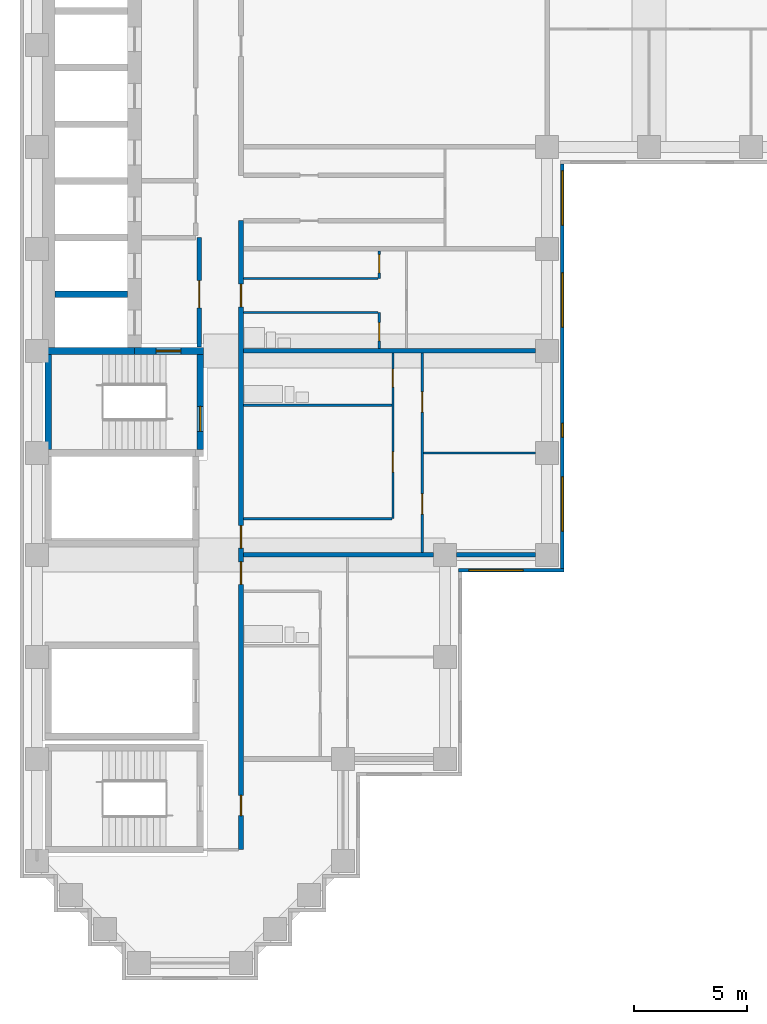
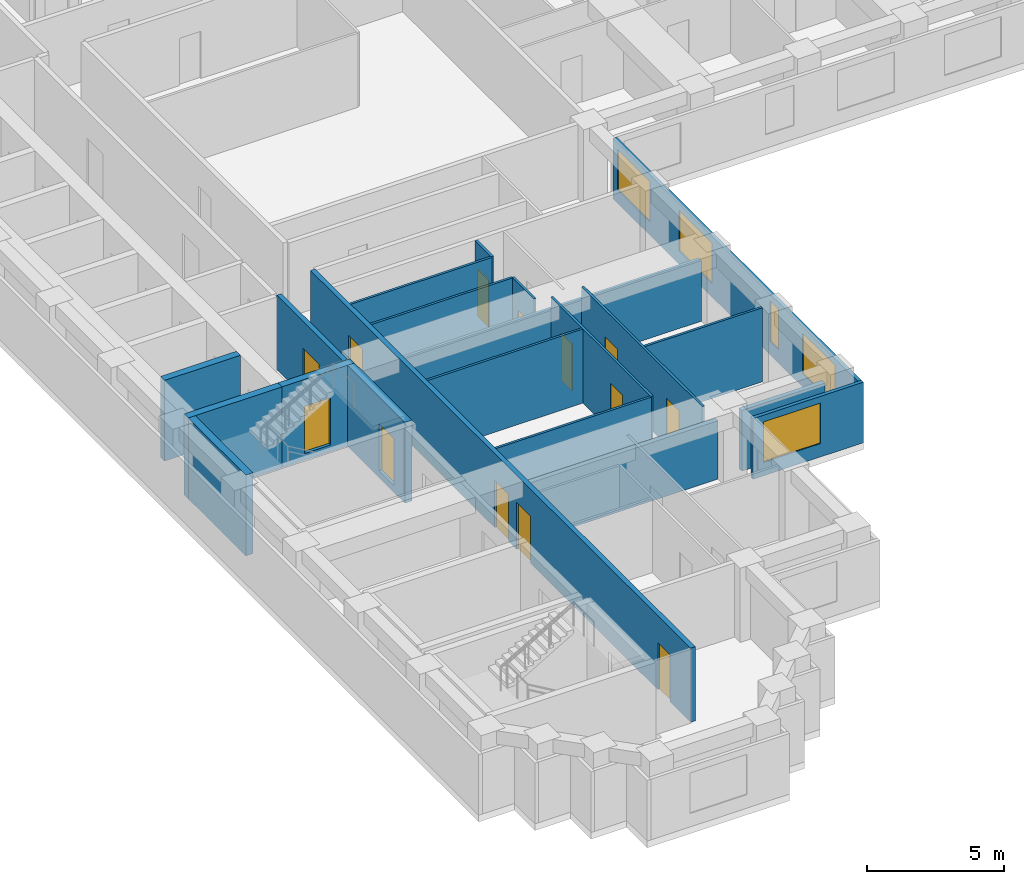
# One storey, part 3 of 11: 21 walls, 13 doors, 5 windows, 18 openings.
"""IFC4 building model written with IfcOpenShell, lengths in metres."""

from ifc_helpers import new_model, si_unit, direction, frame, frame_2d, origin, place, context, subcontext, project, spatial, rectangle, extrude, material, layer, layer_set, type_object, element, fill, save


model = new_model("IFC4")

# Units and contexts
model_context = context("Model", 3, precision=1e-05, world=origin(), true_north=direction((0.0, 1.0)))
body_context = subcontext(model_context, "Body", "Model", "MODEL_VIEW")
ifc_project = project(units=[si_unit("LENGTHUNIT", "METRE"), si_unit("AREAUNIT", "SQUARE_METRE"), si_unit("VOLUMEUNIT", "CUBIC_METRE"), si_unit("PLANEANGLEUNIT", "RADIAN"), si_unit("MASSUNIT", "GRAM", prefix="KILO")], contexts=[model_context])

# Site, building, storey
site_placement = place(None, origin())
site = spatial("IfcSite", under=ifc_project, at=site_placement, CompositionType="ELEMENT")
building_placement = place(site_placement, origin())
building = spatial("IfcBuilding", under=site, at=building_placement, Name="Firuza Court", CompositionType="ELEMENT")
storey_placement = place(building_placement, frame((0.0, 0.0, 130.39990234375)))
storey = spatial("IfcBuildingStorey", under=building, at=storey_placement, Name="L32", CompositionType="ELEMENT", Elevation=130.39990234375)

# Walls
ifc_material_1 = material(Name="Moisture-resistant gypsum board partition")
ifc_layer_1 = layer(ifc_material_1, 0.10009765625)
ifc_layer_set_1 = layer_set([ifc_layer_1], Name="Moisture-resistant gypsum board partition")
wall_type_1 = type_object("IfcWallType", Name="Bathroom partition 100", PredefinedType="PLUMBINGWALL", material=ifc_layer_set_1)
wall_1_placement = place(storey_placement, frame((9.10009765625, 24.60009765625, 0.0), z_axis=(0.0, 0.0, 1.0), x_axis=(1.0, 0.0, 0.0)))
element("IfcWall", 1, at=wall_1_placement, inside=storey, type_object=wall_type_1, Name="Bathroom partition 100 L32", PredefinedType="PLUMBINGWALL", context=body_context, shape_type="SweptSolid", body=[
    extrude(rectangle(XDim=6.5498046875, YDim=0.10009765625, at=frame_2d((3.27490234375, 0.0))), origin(), (0.0, 0.0, 1.0), 3.300048828125),
])
wall_2_placement = place(storey_placement, frame((9.10009765625, 28.699951171875, 0.0), z_axis=(0.0, 0.0, 1.0), x_axis=(1.0, 0.0, 0.0)))
element("IfcWall", 2, at=wall_2_placement, inside=storey, type_object=wall_type_1, Name="Bathroom partition 100 L32", PredefinedType="PLUMBINGWALL", context=body_context, shape_type="SweptSolid", body=[
    extrude(rectangle(XDim=5.949951171875, YDim=0.10009765625, at=frame_2d((2.97509765625, 0.0))), origin(), (0.0, 0.0, 1.0), 3.300048828125),
])
ifc_material_2 = material(Name="Concrete C60/75", Category="concrete")
ifc_layer_2 = layer(ifc_material_2, 0.300048828125)
ifc_layer_set_2 = layer_set([ifc_layer_2], Name="Concrete C60/75")
wall_type_2 = type_object("IfcWallType", Name="Core wall 300 C60/75", PredefinedType="SHEAR", material=ifc_layer_set_2)
wall_3_placement = place(storey_placement, frame((0.35009765625, 27.0, -0.2998046875), z_axis=(0.0, 0.0, 1.0), x_axis=(1.0, 0.0, 0.0)))
element("IfcWall", 3, at=wall_3_placement, inside=storey, type_object=wall_type_2, Name="Core wall lift shaft L32", PredefinedType="SHEAR", context=body_context, shape_type="SweptSolid", body=[
    extrude(rectangle(XDim=3.949951171875, YDim=0.300048828125, at=frame_2d((1.97509765625, 0.0))), origin(), (0.0, 0.0, 1.0), 3.599853515625),
])
wall_4_placement = place(storey_placement, frame((0.5, 22.64990234375, -0.2998046875), z_axis=(0.0, 0.0, 1.0), x_axis=(0.0, 1.0, 0.0)))
element("IfcWall", 4, at=wall_4_placement, inside=storey, type_object=wall_type_2, Name="Core wall stair L32", PredefinedType="SHEAR", context=body_context, shape_type="SweptSolid", body=[
    extrude(rectangle(XDim=4.2001953125, YDim=0.300048828125, at=frame_2d((2.10009765625, 0.0))), origin(), (0.0, 0.0, 1.0), 3.599853515625),
])
wall_5_placement = place(storey_placement, frame((0.800048828125, 29.5, -0.2998046875), z_axis=(0.0, 0.0, 1.0), x_axis=(1.0, 0.0, 0.0)))
element("IfcWall", 5, at=wall_5_placement, inside=storey, type_object=wall_type_2, Name="Core wall lift shaft L32", PredefinedType="SHEAR", context=body_context, shape_type="SweptSolid", body=[
    extrude(rectangle(XDim=3.199951171875, YDim=0.300048828125, at=frame_2d((1.60009765625, 0.0))), origin(), (0.0, 0.0, 1.0), 3.599853515625),
])

# Wall, opening, door
wall_6_placement = place(storey_placement, frame((4.300048828125, 27.0, -0.2998046875), z_axis=(0.0, 0.0, 1.0), x_axis=(1.0, 0.0, 0.0)))
wall_6 = element("IfcWall", 6, at=wall_6_placement, inside=storey, type_object=wall_type_2, Name="Core wall stair L32", PredefinedType="SHEAR", context=body_context, shape_type="SweptSolid", body=[
    extrude(rectangle(XDim=3.050048828125, YDim=0.300048828125, at=frame_2d((1.52490234375, 0.0))), origin(), (0.0, 0.0, 1.0), 3.599853515625),
])
opening_1_placement = place(wall_6_placement, frame((0.949951171875, 0.0, 0.300048828125)))
opening_1 = element("IfcOpeningElement", 7, at=opening_1_placement, cuts=wall_6, Name="Opening D32013", PredefinedType="OPENING", context=body_context, shape_type="SweptSolid", body=[
    extrude(rectangle(XDim=1.10009765625, YDim=2.10009765625, at=frame_2d((0.550048828125, 1.050048828125))), frame((0.0, 0.162109375, 0.0), z_axis=(0.0, -1.0, 0.0), x_axis=(1.0, 0.0, 0.0)), (0.0, 0.0, 1.0), 0.323974609375),
])
ifc_material_3 = material(Name="Timber door leaf in hardwood frame", Category="wood")
door_type_1 = type_object("IfcDoorType", Name="Stair door 1100", OperationType="SINGLE_SWING_LEFT", PredefinedType="DOOR", material=ifc_material_3)
door_1_placement = place(opening_1_placement, frame((1.10009765625, 0.0, 0.0), z_axis=(0.0, 0.0, 1.0), x_axis=(-1.0, 0.0, 0.0)))
door_1 = element("IfcDoor", 8, at=door_1_placement, inside=storey, type_object=door_type_1, Name="Fire-fighting lobby door", OperationType="SINGLE_SWING_LEFT", OverallHeight=2.10009765625, OverallWidth=1.10009765625, PredefinedType="DOOR", context=body_context, shape_type="SweptSolid", body=[
    extrude(rectangle(XDim=1.10009765625, YDim=2.10009765625, at=frame_2d((0.550048828125, 1.050048828125))), frame((0.0, 0.02490234375, 0.0), z_axis=(0.0, -1.0, 0.0), x_axis=(1.0, 0.0, 0.0)), (0.0, 0.0, 1.0), 0.050048828125),
])
fill(opening_1, door_1)

wall_7_placement = place(storey_placement, frame((7.199951171875, 22.64990234375, -0.2998046875), z_axis=(0.0, 0.0, 1.0), x_axis=(0.0, 1.0, 0.0)))
wall_7 = element("IfcWall", 9, at=wall_7_placement, inside=storey, type_object=wall_type_2, Name="Core wall stair L32", PredefinedType="SHEAR", context=body_context, shape_type="SweptSolid", body=[
    extrude(rectangle(XDim=4.2001953125, YDim=0.300048828125, at=frame_2d((2.10009765625, 0.0))), origin(), (0.0, 0.0, 1.0), 3.599853515625),
])
opening_2_placement = place(wall_7_placement, frame((0.800048828125, 0.0, 0.300048828125)))
opening_2 = element("IfcOpeningElement", 10, at=opening_2_placement, cuts=wall_7, Name="Opening D32014", PredefinedType="OPENING", context=body_context, shape_type="SweptSolid", body=[
    extrude(rectangle(XDim=1.10009765625, YDim=2.10009765625, at=frame_2d((0.550048828125, 1.050048828125))), frame((0.0, 0.162109375, 0.0), z_axis=(0.0, -1.0, 0.0), x_axis=(1.0, 0.0, 0.0)), (0.0, 0.0, 1.0), 0.323974609375),
])
door_2_placement = place(opening_2_placement, origin())
door_2 = element("IfcDoor", 11, at=door_2_placement, inside=storey, type_object=door_type_1, Name="Stair door S2", OperationType="SINGLE_SWING_LEFT", OverallHeight=2.10009765625, OverallWidth=1.10009765625, PredefinedType="DOOR", context=body_context, shape_type="SweptSolid", body=[
    extrude(rectangle(XDim=1.10009765625, YDim=2.10009765625, at=frame_2d((0.550048828125, 1.050048828125))), frame((0.0, 0.02490234375, 0.0), z_axis=(0.0, -1.0, 0.0), x_axis=(1.0, 0.0, 0.0)), (0.0, 0.0, 1.0), 0.050048828125),
])
fill(opening_2, door_2)

# Wall, openings, doors
ifc_material_4 = material(Name="Blockwork, plastered both sides", Category="masonry")
ifc_layer_3 = layer(ifc_material_4, 0.199951171875)
ifc_layer_set_3 = layer_set([ifc_layer_3], Name="Blockwork, plastered both sides")
wall_type_3 = type_object("IfcWallType", Name="Corridor wall 200", PredefinedType="PARTITIONING", material=ifc_layer_set_3)
wall_8_placement = place(storey_placement, frame((9.0, 5.0, 0.0), z_axis=(0.0, 0.0, 1.0), x_axis=(0.0, 1.0, 0.0)))
wall_8 = element("IfcWall", 12, at=wall_8_placement, inside=storey, type_object=wall_type_3, Name="Corridor wall 200 L32", PredefinedType="PARTITIONING", context=body_context, shape_type="SweptSolid", body=[
    extrude(rectangle(XDim=27.75, YDim=0.199951171875, at=frame_2d((13.875, 0.0))), origin(), (0.0, 0.0, 1.0), 3.300048828125),
])
opening_3_placement = place(wall_8_placement, frame((23.949951171875, 0.0, 0.0)))
opening_3 = element("IfcOpeningElement", 13, at=opening_3_placement, cuts=wall_8, Name="Opening D32018", PredefinedType="OPENING", context=body_context, shape_type="SweptSolid", body=[
    extrude(rectangle(XDim=1.0, YDim=2.10009765625, at=frame_2d((0.5, 1.050048828125))), frame((0.0, 0.11181640625, 0.0), z_axis=(0.0, -1.0, 0.0), x_axis=(1.0, 0.0, 0.0)), (0.0, 0.0, 1.0), 0.223876953125),
])
opening_4_placement = place(wall_8_placement, frame((13.300048828125, 0.0, 0.0)))
opening_4 = element("IfcOpeningElement", 14, at=opening_4_placement, cuts=wall_8, Name="Opening D32019", PredefinedType="OPENING", context=body_context, shape_type="SweptSolid", body=[
    extrude(rectangle(XDim=1.0, YDim=2.10009765625, at=frame_2d((0.5, 1.050048828125))), frame((0.0, 0.11181640625, 0.0), z_axis=(0.0, -1.0, 0.0), x_axis=(1.0, 0.0, 0.0)), (0.0, 0.0, 1.0), 0.223876953125),
])
opening_5_placement = place(wall_8_placement, frame((11.699951171875, 0.0, 0.0)))
opening_5 = element("IfcOpeningElement", 15, at=opening_5_placement, cuts=wall_8, Name="Opening D32020", PredefinedType="OPENING", context=body_context, shape_type="SweptSolid", body=[
    extrude(rectangle(XDim=1.0, YDim=2.10009765625, at=frame_2d((0.5, 1.050048828125))), frame((0.0, 0.11181640625, 0.0), z_axis=(0.0, -1.0, 0.0), x_axis=(1.0, 0.0, 0.0)), (0.0, 0.0, 1.0), 0.223876953125),
])
opening_6_placement = place(wall_8_placement, frame((1.5, 0.0, 0.0)))
opening_6 = element("IfcOpeningElement", 16, at=opening_6_placement, cuts=wall_8, Name="Opening D32021", PredefinedType="OPENING", context=body_context, shape_type="SweptSolid", body=[
    extrude(rectangle(XDim=0.89990234375, YDim=2.10009765625, at=frame_2d((0.449951171875, 1.050048828125))), frame((0.0, 0.11181640625, 0.0), z_axis=(0.0, -1.0, 0.0), x_axis=(1.0, 0.0, 0.0)), (0.0, 0.0, 1.0), 0.223876953125),
])
ifc_material_5 = material(Name="Timber door leaf in hardwood frame", Category="wood")
door_type_2 = type_object("IfcDoorType", Name="Flat entrance door 1000", OperationType="SINGLE_SWING_LEFT", PredefinedType="DOOR", material=ifc_material_5)
door_3_placement = place(opening_3_placement, origin())
door_3 = element("IfcDoor", 17, at=door_3_placement, inside=storey, type_object=door_type_2, Name="Flat entrance door", OperationType="SINGLE_SWING_LEFT", OverallHeight=2.10009765625, OverallWidth=1.0, PredefinedType="DOOR", context=body_context, shape_type="SweptSolid", body=[
    extrude(rectangle(XDim=1.0, YDim=2.10009765625, at=frame_2d((0.5, 1.050048828125))), frame((0.0, 0.02490234375, 0.0), z_axis=(0.0, -1.0, 0.0), x_axis=(1.0, 0.0, 0.0)), (0.0, 0.0, 1.0), 0.050048828125),
])
fill(opening_3, door_3)
door_4_placement = place(opening_4_placement, origin())
door_4 = element("IfcDoor", 18, at=door_4_placement, inside=storey, type_object=door_type_2, Name="Flat entrance door", OperationType="SINGLE_SWING_LEFT", OverallHeight=2.10009765625, OverallWidth=1.0, PredefinedType="DOOR", context=body_context, shape_type="SweptSolid", body=[
    extrude(rectangle(XDim=1.0, YDim=2.10009765625, at=frame_2d((0.5, 1.050048828125))), frame((0.0, 0.02490234375, 0.0), z_axis=(0.0, -1.0, 0.0), x_axis=(1.0, 0.0, 0.0)), (0.0, 0.0, 1.0), 0.050048828125),
])
fill(opening_4, door_4)
door_5_placement = place(opening_5_placement, origin())
door_5 = element("IfcDoor", 19, at=door_5_placement, inside=storey, type_object=door_type_2, Name="Flat entrance door", OperationType="SINGLE_SWING_LEFT", OverallHeight=2.10009765625, OverallWidth=1.0, PredefinedType="DOOR", context=body_context, shape_type="SweptSolid", body=[
    extrude(rectangle(XDim=1.0, YDim=2.10009765625, at=frame_2d((0.5, 1.050048828125))), frame((0.0, 0.02490234375, 0.0), z_axis=(0.0, -1.0, 0.0), x_axis=(1.0, 0.0, 0.0)), (0.0, 0.0, 1.0), 0.050048828125),
])
fill(opening_5, door_5)
ifc_material_6 = material(Name="Timber door leaf in hardwood frame", Category="wood")
door_type_3 = type_object("IfcDoorType", Name="Room door 900 EI 30", OperationType="SINGLE_SWING_LEFT", PredefinedType="DOOR", material=ifc_material_6)
door_6_placement = place(opening_6_placement, frame((0.89990234375, 0.0, 0.0), z_axis=(0.0, 0.0, 1.0), x_axis=(-1.0, 0.0, 0.0)))
door_6 = element("IfcDoor", 20, at=door_6_placement, inside=storey, type_object=door_type_3, Name="Library door", OperationType="SINGLE_SWING_LEFT", OverallHeight=2.10009765625, OverallWidth=0.89990234375, PredefinedType="DOOR", context=body_context, shape_type="SweptSolid", body=[
    extrude(rectangle(XDim=0.89990234375, YDim=2.10009765625, at=frame_2d((0.449951171875, 1.050048828125))), frame((0.0, 0.02490234375, 0.0), z_axis=(0.0, -1.0, 0.0), x_axis=(1.0, 0.0, 0.0)), (0.0, 0.0, 1.0), 0.050048828125),
])
fill(opening_6, door_6)

ifc_material_7 = material(Name="Timber stud partition, plasterboard both sides", Category="wood")
ifc_layer_4 = layer(ifc_material_7, 0.10009765625)
ifc_layer_set_4 = layer_set([ifc_layer_4], Name="Timber stud partition, plasterboard both sides")
wall_type_4 = type_object("IfcWallType", Name="Partition wall 100", PredefinedType="PARTITIONING", material=ifc_layer_set_4)
wall_9_placement = place(storey_placement, frame((17.0, 18.10009765625, 0.0), z_axis=(0.0, 0.0, 1.0), x_axis=(0.0, 1.0, 0.0)))
wall_9 = element("IfcWall", 21, at=wall_9_placement, inside=storey, type_object=wall_type_4, Name="Partition wall 100 L32", PredefinedType="PARTITIONING", context=body_context, shape_type="SweptSolid", body=[
    extrude(rectangle(XDim=8.7998046875, YDim=0.10009765625, at=frame_2d((4.39990234375, 0.0))), origin(), (0.0, 0.0, 1.0), 3.300048828125),
])
opening_7_placement = place(wall_9_placement, frame((1.699951171875, 0.0, 0.0)))
opening_7 = element("IfcOpeningElement", 22, at=opening_7_placement, cuts=wall_9, Name="Opening D32027", PredefinedType="OPENING", context=body_context, shape_type="SweptSolid", body=[
    extrude(rectangle(XDim=0.89990234375, YDim=2.10009765625, at=frame_2d((0.449951171875, 1.050048828125))), frame((0.0, 0.06201171875, 0.0), z_axis=(0.0, -1.0, 0.0), x_axis=(1.0, 0.0, 0.0)), (0.0, 0.0, 1.0), 0.1240234375),
])
opening_8_placement = place(wall_9_placement, frame((6.199951171875, 0.0, 0.0)))
opening_8 = element("IfcOpeningElement", 23, at=opening_8_placement, cuts=wall_9, Name="Opening D32028", PredefinedType="OPENING", context=body_context, shape_type="SweptSolid", body=[
    extrude(rectangle(XDim=0.89990234375, YDim=2.10009765625, at=frame_2d((0.449951171875, 1.050048828125))), frame((0.0, 0.06201171875, 0.0), z_axis=(0.0, -1.0, 0.0), x_axis=(1.0, 0.0, 0.0)), (0.0, 0.0, 1.0), 0.1240234375),
])
ifc_material_8 = material(Name="Timber door leaf in hardwood frame", Category="wood")
door_type_4 = type_object("IfcDoorType", Name="Room door 900", OperationType="SINGLE_SWING_LEFT", PredefinedType="DOOR", material=ifc_material_8)
door_7_placement = place(opening_7_placement, frame((0.89990234375, 0.0, 0.0), z_axis=(0.0, 0.0, 1.0), x_axis=(-1.0, 0.0, 0.0)))
door_7 = element("IfcDoor", 24, at=door_7_placement, inside=storey, type_object=door_type_4, Name="Bedroom door", OperationType="SINGLE_SWING_RIGHT", OverallHeight=2.10009765625, OverallWidth=0.89990234375, PredefinedType="DOOR", context=body_context, shape_type="SweptSolid", body=[
    extrude(rectangle(XDim=0.89990234375, YDim=2.10009765625, at=frame_2d((0.449951171875, 1.050048828125))), frame((0.0, 0.02490234375, 0.0), z_axis=(0.0, -1.0, 0.0), x_axis=(1.0, 0.0, 0.0)), (0.0, 0.0, 1.0), 0.050048828125),
])
fill(opening_7, door_7)
door_8_placement = place(opening_8_placement, frame((0.89990234375, 0.0, 0.0), z_axis=(0.0, 0.0, 1.0), x_axis=(-1.0, 0.0, 0.0)))
door_8 = element("IfcDoor", 25, at=door_8_placement, inside=storey, type_object=door_type_4, Name="Living room door", OperationType="SINGLE_SWING_RIGHT", OverallHeight=2.10009765625, OverallWidth=0.89990234375, PredefinedType="DOOR", context=body_context, shape_type="SweptSolid", body=[
    extrude(rectangle(XDim=0.89990234375, YDim=2.10009765625, at=frame_2d((0.449951171875, 1.050048828125))), frame((0.0, 0.02490234375, 0.0), z_axis=(0.0, -1.0, 0.0), x_axis=(1.0, 0.0, 0.0)), (0.0, 0.0, 1.0), 0.050048828125),
])
fill(opening_8, door_8)

# Wall
wall_10_placement = place(storey_placement, frame((9.10009765625, 19.60009765625, 0.0), z_axis=(0.0, 0.0, 1.0), x_axis=(1.0, 0.0, 0.0)))
element("IfcWall", 26, at=wall_10_placement, inside=storey, type_object=wall_type_4, Name="Partition wall 100 L32", PredefinedType="PARTITIONING", context=body_context, shape_type="SweptSolid", body=[
    extrude(rectangle(XDim=6.5498046875, YDim=0.10009765625, at=frame_2d((3.27490234375, 0.0))), origin(), (0.0, 0.0, 1.0), 3.300048828125),
])

# Wall, openings, doors
wall_11_placement = place(storey_placement, frame((15.699951171875, 19.60009765625, 0.0), z_axis=(0.0, 0.0, 1.0), x_axis=(0.0, 1.0, 0.0)))
wall_11 = element("IfcWall", 27, at=wall_11_placement, inside=storey, type_object=wall_type_4, Name="Partition wall 100 L32", PredefinedType="PARTITIONING", context=body_context, shape_type="SweptSolid", body=[
    extrude(rectangle(XDim=7.2998046875, YDim=0.10009765625, at=frame_2d((3.64990234375, 0.0))), origin(), (0.0, 0.0, 1.0), 3.300048828125),
])
opening_9_placement = place(wall_11_placement, frame((5.800048828125, 0.0, 0.0)))
opening_9 = element("IfcOpeningElement", 28, at=opening_9_placement, cuts=wall_11, Name="Opening D32029", PredefinedType="OPENING", context=body_context, shape_type="SweptSolid", body=[
    extrude(rectangle(XDim=0.800048828125, YDim=2.10009765625, at=frame_2d((0.39990234375, 1.050048828125))), frame((0.0, 0.06201171875, 0.0), z_axis=(0.0, -1.0, 0.0), x_axis=(1.0, 0.0, 0.0)), (0.0, 0.0, 1.0), 0.1240234375),
])
opening_10_placement = place(wall_11_placement, frame((2.050048828125, 0.0, 0.0)))
opening_10 = element("IfcOpeningElement", 29, at=opening_10_placement, cuts=wall_11, Name="Opening D32030", PredefinedType="OPENING", context=body_context, shape_type="SweptSolid", body=[
    extrude(rectangle(XDim=0.89990234375, YDim=2.10009765625, at=frame_2d((0.449951171875, 1.050048828125))), frame((0.0, 0.06201171875, 0.0), z_axis=(0.0, -1.0, 0.0), x_axis=(1.0, 0.0, 0.0)), (0.0, 0.0, 1.0), 0.1240234375),
])
ifc_material_9 = material(Name="Timber door leaf in hardwood frame", Category="wood")
door_type_5 = type_object("IfcDoorType", Name="Bathroom door 800", OperationType="SINGLE_SWING_LEFT", PredefinedType="DOOR", material=ifc_material_9)
door_9_placement = place(opening_9_placement, origin())
door_9 = element("IfcDoor", 30, at=door_9_placement, inside=storey, type_object=door_type_5, Name="Bathroom door", OperationType="SINGLE_SWING_LEFT", OverallHeight=2.10009765625, OverallWidth=0.800048828125, PredefinedType="DOOR", context=body_context, shape_type="SweptSolid", body=[
    extrude(rectangle(XDim=0.800048828125, YDim=2.10009765625, at=frame_2d((0.39990234375, 1.050048828125))), frame((0.0, 0.02490234375, 0.0), z_axis=(0.0, -1.0, 0.0), x_axis=(1.0, 0.0, 0.0)), (0.0, 0.0, 1.0), 0.050048828125),
])
fill(opening_9, door_9)
door_10_placement = place(opening_10_placement, origin())
door_10 = element("IfcDoor", 31, at=door_10_placement, inside=storey, type_object=door_type_4, Name="Kitchen door", OperationType="SINGLE_SWING_LEFT", OverallHeight=2.10009765625, OverallWidth=0.89990234375, PredefinedType="DOOR", context=body_context, shape_type="SweptSolid", body=[
    extrude(rectangle(XDim=0.89990234375, YDim=2.10009765625, at=frame_2d((0.449951171875, 1.050048828125))), frame((0.0, 0.02490234375, 0.0), z_axis=(0.0, -1.0, 0.0), x_axis=(1.0, 0.0, 0.0)), (0.0, 0.0, 1.0), 0.050048828125),
])
fill(opening_10, door_10)

# Wall
wall_12_placement = place(storey_placement, frame((17.050048828125, 22.5, 0.0), z_axis=(0.0, 0.0, 1.0), x_axis=(1.0, 0.0, 0.0)))
element("IfcWall", 32, at=wall_12_placement, inside=storey, type_object=wall_type_4, Name="Partition wall 100 L32", PredefinedType="PARTITIONING", context=body_context, shape_type="SweptSolid", body=[
    extrude(rectangle(XDim=4.949951171875, YDim=0.10009765625, at=frame_2d((2.47509765625, 0.0))), origin(), (0.0, 0.0, 1.0), 3.300048828125),
])

# Wall, opening, door
wall_13_placement = place(storey_placement, frame((15.10009765625, 27.10009765625, 0.0), z_axis=(0.0, 0.0, 1.0), x_axis=(0.0, 1.0, 0.0)))
wall_13 = element("IfcWall", 33, at=wall_13_placement, inside=storey, type_object=wall_type_4, Name="Partition wall 100 L32", PredefinedType="PARTITIONING", context=body_context, shape_type="SweptSolid", body=[
    extrude(rectangle(XDim=1.599853515625, YDim=0.10009765625, at=frame_2d((0.7998046875, 0.0))), origin(), (0.0, 0.0, 1.0), 3.300048828125),
])
opening_11_placement = place(wall_13_placement, frame((0.35009765625, 0.0, 0.0)))
opening_11 = element("IfcOpeningElement", 34, at=opening_11_placement, cuts=wall_13, Name="Opening D32031", PredefinedType="OPENING", context=body_context, shape_type="SweptSolid", body=[
    extrude(rectangle(XDim=0.800048828125, YDim=2.10009765625, at=frame_2d((0.39990234375, 1.050048828125))), frame((0.0, 0.06201171875, 0.0), z_axis=(0.0, -1.0, 0.0), x_axis=(1.0, 0.0, 0.0)), (0.0, 0.0, 1.0), 0.1240234375),
])
door_11_placement = place(opening_11_placement, origin())
door_11 = element("IfcDoor", 35, at=door_11_placement, inside=storey, type_object=door_type_5, Name="Bathroom door", OperationType="SINGLE_SWING_LEFT", OverallHeight=2.10009765625, OverallWidth=0.800048828125, PredefinedType="DOOR", context=body_context, shape_type="SweptSolid", body=[
    extrude(rectangle(XDim=0.800048828125, YDim=2.10009765625, at=frame_2d((0.39990234375, 1.050048828125))), frame((0.0, 0.02490234375, 0.0), z_axis=(0.0, -1.0, 0.0), x_axis=(1.0, 0.0, 0.0)), (0.0, 0.0, 1.0), 0.050048828125),
])
fill(opening_11, door_11)

# Wall
wall_14_placement = place(storey_placement, frame((9.10009765625, 30.199951171875, 0.0), z_axis=(0.0, 0.0, 1.0), x_axis=(1.0, 0.0, 0.0)))
element("IfcWall", 36, at=wall_14_placement, inside=storey, type_object=wall_type_4, Name="Partition wall 100 L32", PredefinedType="PARTITIONING", context=body_context, shape_type="SweptSolid", body=[
    extrude(rectangle(XDim=5.949951171875, YDim=0.10009765625, at=frame_2d((2.97509765625, 0.0))), origin(), (0.0, 0.0, 1.0), 3.300048828125),
])

# Wall, opening, door
wall_15_placement = place(storey_placement, frame((15.10009765625, 30.199951171875, 0.0), z_axis=(0.0, 0.0, 1.0), x_axis=(0.0, 1.0, 0.0)))
wall_15 = element("IfcWall", 37, at=wall_15_placement, inside=storey, type_object=wall_type_4, Name="Partition wall 100 L32", PredefinedType="PARTITIONING", context=body_context, shape_type="SweptSolid", body=[
    extrude(rectangle(XDim=1.199951171875, YDim=0.10009765625, at=frame_2d((0.60009765625, 0.0))), origin(), (0.0, 0.0, 1.0), 3.300048828125),
])
opening_12_placement = place(wall_15_placement, frame((0.25, 0.0, 0.0)))
opening_12 = element("IfcOpeningElement", 38, at=opening_12_placement, cuts=wall_15, Name="Opening D32033", PredefinedType="OPENING", context=body_context, shape_type="SweptSolid", body=[
    extrude(rectangle(XDim=0.800048828125, YDim=2.10009765625, at=frame_2d((0.39990234375, 1.050048828125))), frame((0.0, 0.06201171875, 0.0), z_axis=(0.0, -1.0, 0.0), x_axis=(1.0, 0.0, 0.0)), (0.0, 0.0, 1.0), 0.1240234375),
])
ifc_material_10 = material(Name="Timber door leaf in hardwood frame", Category="wood")
door_type_6 = type_object("IfcDoorType", Name="Room door 800", OperationType="SINGLE_SWING_LEFT", PredefinedType="DOOR", material=ifc_material_10)
door_12_placement = place(opening_12_placement, origin())
door_12 = element("IfcDoor", 39, at=door_12_placement, inside=storey, type_object=door_type_6, Name="Kitchen door", OperationType="SINGLE_SWING_LEFT", OverallHeight=2.10009765625, OverallWidth=0.800048828125, PredefinedType="DOOR", context=body_context, shape_type="SweptSolid", body=[
    extrude(rectangle(XDim=0.800048828125, YDim=2.10009765625, at=frame_2d((0.39990234375, 1.050048828125))), frame((0.0, 0.02490234375, 0.0), z_axis=(0.0, -1.0, 0.0), x_axis=(1.0, 0.0, 0.0)), (0.0, 0.0, 1.0), 0.050048828125),
])
fill(opening_12, door_12)

# Walls
ifc_layer_5 = layer(ifc_material_4, 0.199951171875)
ifc_layer_set_5 = layer_set([ifc_layer_5], Name="Blockwork, plastered both sides")
wall_type_5 = type_object("IfcWallType", Name="Party wall 200", PredefinedType="PARTITIONING", material=ifc_layer_set_5)
wall_16_placement = place(storey_placement, frame((9.10009765625, 18.0, 0.0), z_axis=(0.0, 0.0, 1.0), x_axis=(1.0, 0.0, 0.0)))
element("IfcWall", 40, at=wall_16_placement, inside=storey, type_object=wall_type_5, Name="Party wall 200 L32", PredefinedType="PARTITIONING", context=body_context, shape_type="SweptSolid", body=[
    extrude(rectangle(XDim=8.39990234375, YDim=0.199951171875, at=frame_2d((4.199951171875, 0.0))), origin(), (0.0, 0.0, 1.0), 2.60009765625),
])
wall_17_placement = place(storey_placement, frame((18.5, 18.0, 0.0), z_axis=(0.0, 0.0, 1.0), x_axis=(1.0, 0.0, 0.0)))
element("IfcWall", 41, at=wall_17_placement, inside=storey, type_object=wall_type_5, Name="Party wall 200 L32", PredefinedType="PARTITIONING", context=body_context, shape_type="SweptSolid", body=[
    extrude(rectangle(XDim=3.5, YDim=0.199951171875, at=frame_2d((1.75, 0.0))), origin(), (0.0, 0.0, 1.0), 2.7001953125),
])
wall_18_placement = place(storey_placement, frame((9.10009765625, 27.0, 0.0), z_axis=(0.0, 0.0, 1.0), x_axis=(1.0, 0.0, 0.0)))
element("IfcWall", 42, at=wall_18_placement, inside=storey, type_object=wall_type_5, Name="Party wall 200 L32", PredefinedType="PARTITIONING", context=body_context, shape_type="SweptSolid", body=[
    extrude(rectangle(XDim=12.89990234375, YDim=0.199951171875, at=frame_2d((6.449951171875, 0.0))), origin(), (0.0, 0.0, 1.0), 2.7001953125),
])

# Wall, opening, window
ifc_material_11 = material(Name="Ceramic tile", Category="ceramic")
ifc_layer_6 = layer(ifc_material_11, 0.02001953125)
ifc_material_12 = material(Name="Mineral wool insulation", Category="insulation")
ifc_layer_7 = layer(ifc_material_12, 0.050048828125)
ifc_material_13 = material(Name="Concrete C40/50 precast", Category="concrete")
ifc_layer_8 = layer(ifc_material_13, 0.080078125)
ifc_layer_set_6 = layer_set([ifc_layer_6, ifc_layer_7, ifc_layer_8], Name="Concrete C40/50 precast")
wall_type_6 = type_object("IfcWallType", Name="Precast cladding wall with turquoise TILE PANEL face 150", PredefinedType="STANDARD", material=ifc_layer_set_6)
wall_19_placement = place(storey_placement, frame((18.60009765625, 17.324951171875, 0.0), z_axis=(0.0, 0.0, 1.0), x_axis=(1.0, 0.0, 0.0)))
wall_19 = element("IfcWall", 43, at=wall_19_placement, inside=storey, type_object=wall_type_6, Name="Facade wall L32 S", PredefinedType="STANDARD", context=body_context, shape_type="SweptSolid", body=[
    extrude(rectangle(XDim=4.64990234375, YDim=0.14990234375, at=frame_2d((2.324951171875, 0.0))), origin(), (0.0, 0.0, 1.0), 2.7001953125),
])
opening_13_placement = place(wall_19_placement, frame((0.449951171875, 0.0, 0.60009765625)))
opening_13 = element("IfcOpeningElement", 44, at=opening_13_placement, cuts=wall_19, Name="Opening W1", PredefinedType="OPENING", context=body_context, shape_type="SweptSolid", body=[
    extrude(rectangle(XDim=2.39990234375, YDim=1.800048828125, at=frame_2d((1.199951171875, 0.89990234375))), frame((0.0, 0.0869140625, 0.0), z_axis=(0.0, -1.0, 0.0), x_axis=(1.0, 0.0, 0.0)), (0.0, 0.0, 1.0), 0.173828125),
])
ifc_material_14 = material(Name="Aluminium frame, triple clear glazing", Category="aluminium")
window_type_1 = type_object("IfcWindowType", Name="Window W1 2400 x 1800", PartitioningType="SINGLE_PANEL", PredefinedType="WINDOW", material=ifc_material_14)
window_1_placement = place(opening_13_placement, origin())
window_1 = element("IfcWindow", 45, at=window_1_placement, inside=storey, type_object=window_type_1, Name="Window L32", OverallHeight=1.800048828125, OverallWidth=2.39990234375, PartitioningType="SINGLE_PANEL", PredefinedType="WINDOW", context=body_context, shape_type="SweptSolid", body=[
    extrude(rectangle(XDim=2.39990234375, YDim=1.800048828125, at=frame_2d((1.199951171875, 0.89990234375))), frame((0.0, 0.030029296875, 0.0), z_axis=(0.0, -1.0, 0.0), x_axis=(1.0, 0.0, 0.0)), (0.0, 0.0, 1.0), 0.06005859375),
])
fill(opening_13, window_1)

# Wall, openings, windows
wall_20_placement = place(storey_placement, frame((23.175048828125, 17.39990234375, 0.0), z_axis=(0.0, 0.0, 1.0), x_axis=(0.0, 1.0, 0.0)))
wall_20 = element("IfcWall", 46, at=wall_20_placement, inside=storey, type_object=wall_type_6, Name="Facade wall L32 E", PredefinedType="STANDARD", context=body_context, shape_type="SweptSolid", body=[
    extrude(rectangle(XDim=17.85009765625, YDim=0.14990234375, at=frame_2d((8.925048828125, 0.0))), origin(), (0.0, 0.0, 1.0), 2.7001953125),
])
opening_14_placement = place(wall_20_placement, frame((1.64990234375, 0.0, 0.60009765625)))
opening_14 = element("IfcOpeningElement", 47, at=opening_14_placement, cuts=wall_20, Name="Opening W1", PredefinedType="OPENING", context=body_context, shape_type="SweptSolid", body=[
    extrude(rectangle(XDim=2.39990234375, YDim=1.800048828125, at=frame_2d((1.199951171875, 0.89990234375))), frame((0.0, 0.0869140625, 0.0), z_axis=(0.0, -1.0, 0.0), x_axis=(1.0, 0.0, 0.0)), (0.0, 0.0, 1.0), 0.173828125),
])
opening_15_placement = place(wall_20_placement, frame((5.80078125, 0.0, 0.60009765625)))
opening_15 = element("IfcOpeningElement", 48, at=opening_15_placement, cuts=wall_20, Name="Opening W4", PredefinedType="OPENING", context=body_context, shape_type="SweptSolid", body=[
    extrude(rectangle(XDim=0.60009765625, YDim=1.800048828125, at=frame_2d((0.300048828125, 0.89990234375))), frame((0.0, 0.0869140625, 0.0), z_axis=(0.0, -1.0, 0.0), x_axis=(1.0, 0.0, 0.0)), (0.0, 0.0, 1.0), 0.173828125),
])
opening_16_placement = place(wall_20_placement, frame((10.64990234375, 0.0, 0.60009765625)))
opening_16 = element("IfcOpeningElement", 49, at=opening_16_placement, cuts=wall_20, Name="Opening W1", PredefinedType="OPENING", context=body_context, shape_type="SweptSolid", body=[
    extrude(rectangle(XDim=2.39990234375, YDim=1.800048828125, at=frame_2d((1.199951171875, 0.89990234375))), frame((0.0, 0.0869140625, 0.0), z_axis=(0.0, -1.0, 0.0), x_axis=(1.0, 0.0, 0.0)), (0.0, 0.0, 1.0), 0.173828125),
])
opening_17_placement = place(wall_20_placement, frame((15.14990234375, 0.0, 0.60009765625)))
opening_17 = element("IfcOpeningElement", 50, at=opening_17_placement, cuts=wall_20, Name="Opening W1", PredefinedType="OPENING", context=body_context, shape_type="SweptSolid", body=[
    extrude(rectangle(XDim=2.39990234375, YDim=1.800048828125, at=frame_2d((1.199951171875, 0.89990234375))), frame((0.0, 0.0869140625, 0.0), z_axis=(0.0, -1.0, 0.0), x_axis=(1.0, 0.0, 0.0)), (0.0, 0.0, 1.0), 0.173828125),
])
window_2_placement = place(opening_14_placement, origin())
window_2 = element("IfcWindow", 51, at=window_2_placement, inside=storey, type_object=window_type_1, Name="Window L32", OverallHeight=1.800048828125, OverallWidth=2.39990234375, PartitioningType="SINGLE_PANEL", PredefinedType="WINDOW", context=body_context, shape_type="SweptSolid", body=[
    extrude(rectangle(XDim=2.39990234375, YDim=1.800048828125, at=frame_2d((1.199951171875, 0.89990234375))), frame((0.0, 0.030029296875, 0.0), z_axis=(0.0, -1.0, 0.0), x_axis=(1.0, 0.0, 0.0)), (0.0, 0.0, 1.0), 0.06005859375),
])
fill(opening_14, window_2)
window_3_placement = place(opening_16_placement, origin())
window_3 = element("IfcWindow", 52, at=window_3_placement, inside=storey, type_object=window_type_1, Name="Window L32", OverallHeight=1.800048828125, OverallWidth=2.39990234375, PartitioningType="SINGLE_PANEL", PredefinedType="WINDOW", context=body_context, shape_type="SweptSolid", body=[
    extrude(rectangle(XDim=2.39990234375, YDim=1.800048828125, at=frame_2d((1.199951171875, 0.89990234375))), frame((0.0, 0.030029296875, 0.0), z_axis=(0.0, -1.0, 0.0), x_axis=(1.0, 0.0, 0.0)), (0.0, 0.0, 1.0), 0.06005859375),
])
fill(opening_16, window_3)
window_4_placement = place(opening_17_placement, origin())
window_4 = element("IfcWindow", 53, at=window_4_placement, inside=storey, type_object=window_type_1, Name="Window L32", OverallHeight=1.800048828125, OverallWidth=2.39990234375, PartitioningType="SINGLE_PANEL", PredefinedType="WINDOW", context=body_context, shape_type="SweptSolid", body=[
    extrude(rectangle(XDim=2.39990234375, YDim=1.800048828125, at=frame_2d((1.199951171875, 0.89990234375))), frame((0.0, 0.030029296875, 0.0), z_axis=(0.0, -1.0, 0.0), x_axis=(1.0, 0.0, 0.0)), (0.0, 0.0, 1.0), 0.06005859375),
])
fill(opening_17, window_4)
ifc_material_15 = material(Name="Aluminium frame, triple clear glazing", Category="aluminium")
window_type_2 = type_object("IfcWindowType", Name="Window W4 600 x 1800", PartitioningType="SINGLE_PANEL", PredefinedType="WINDOW", material=ifc_material_15)
window_5_placement = place(opening_15_placement, origin())
window_5 = element("IfcWindow", 54, at=window_5_placement, inside=storey, type_object=window_type_2, Name="Window L32", OverallHeight=1.800048828125, OverallWidth=0.60009765625, PartitioningType="SINGLE_PANEL", PredefinedType="WINDOW", context=body_context, shape_type="SweptSolid", body=[
    extrude(rectangle(XDim=0.60009765625, YDim=1.800048828125, at=frame_2d((0.300048828125, 0.89990234375))), frame((0.0, 0.030029296875, 0.0), z_axis=(0.0, -1.0, 0.0), x_axis=(1.0, 0.0, 0.0)), (0.0, 0.0, 1.0), 0.06005859375),
])
fill(opening_15, window_5)

# Wall, opening, door
ifc_material_16 = material(Name="Blockwork, fire-rated", Category="masonry")
ifc_layer_9 = layer(ifc_material_16, 0.199951171875)
ifc_layer_set_7 = layer_set([ifc_layer_9], Name="Blockwork, fire-rated")
wall_type_7 = type_object("IfcWallType", Name="Shaft wall 200", PredefinedType="PARTITIONING", material=ifc_layer_set_7)
wall_21_placement = place(storey_placement, frame((7.14990234375, 27.169921875, 0.0), z_axis=(0.0, 0.0, 1.0), x_axis=(0.0, 1.0, 0.0)))
wall_21 = element("IfcWall", 55, at=wall_21_placement, inside=storey, type_object=wall_type_7, Name="Shaft wall 200 L32", PredefinedType="PARTITIONING", context=body_context, shape_type="SweptSolid", body=[
    extrude(rectangle(XDim=4.830078125, YDim=0.199951171875, at=frame_2d((2.4150390625, 0.0))), origin(), (0.0, 0.0, 1.0), 3.300048828125),
])
opening_18_placement = place(wall_21_placement, frame((1.72998046875, 0.0, 0.0)))
opening_18 = element("IfcOpeningElement", 56, at=opening_18_placement, cuts=wall_21, Name="Opening D32002", PredefinedType="OPENING", context=body_context, shape_type="SweptSolid", body=[
    extrude(rectangle(XDim=1.199951171875, YDim=2.10009765625, at=frame_2d((0.60009765625, 1.050048828125))), frame((0.0, 0.11181640625, 0.0), z_axis=(0.0, -1.0, 0.0), x_axis=(1.0, 0.0, 0.0)), (0.0, 0.0, 1.0), 0.223876953125),
])
ifc_material_17 = material(Name="Timber door leaf in hardwood frame", Category="wood")
door_type_7 = type_object("IfcDoorType", Name="Lobby door 1200", OperationType="SINGLE_SWING_LEFT", PredefinedType="DOOR", material=ifc_material_17)
door_13_placement = place(opening_18_placement, origin())
door_13 = element("IfcDoor", 57, at=door_13_placement, inside=storey, type_object=door_type_7, Name="Fire-fighting lobby door", OperationType="SINGLE_SWING_LEFT", OverallHeight=2.10009765625, OverallWidth=1.199951171875, PredefinedType="DOOR", context=body_context, shape_type="SweptSolid", body=[
    extrude(rectangle(XDim=1.199951171875, YDim=2.10009765625, at=frame_2d((0.60009765625, 1.050048828125))), frame((0.0, 0.02490234375, 0.0), z_axis=(0.0, -1.0, 0.0), x_axis=(1.0, 0.0, 0.0)), (0.0, 0.0, 1.0), 0.050048828125),
])
fill(opening_18, door_13)

save(model, "model.ifc")
